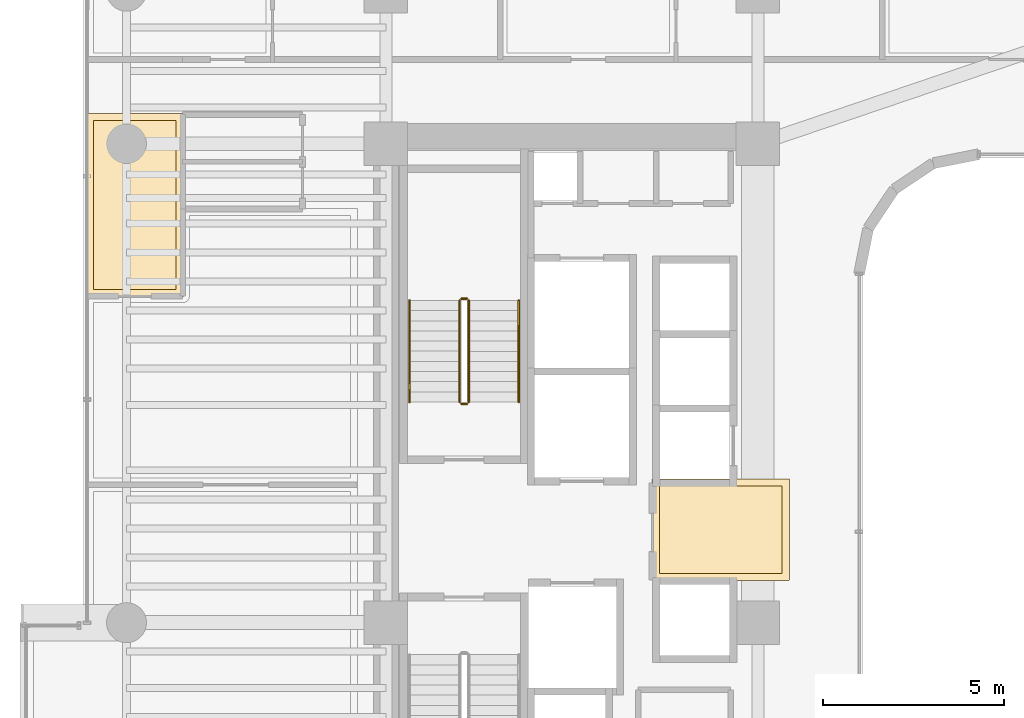
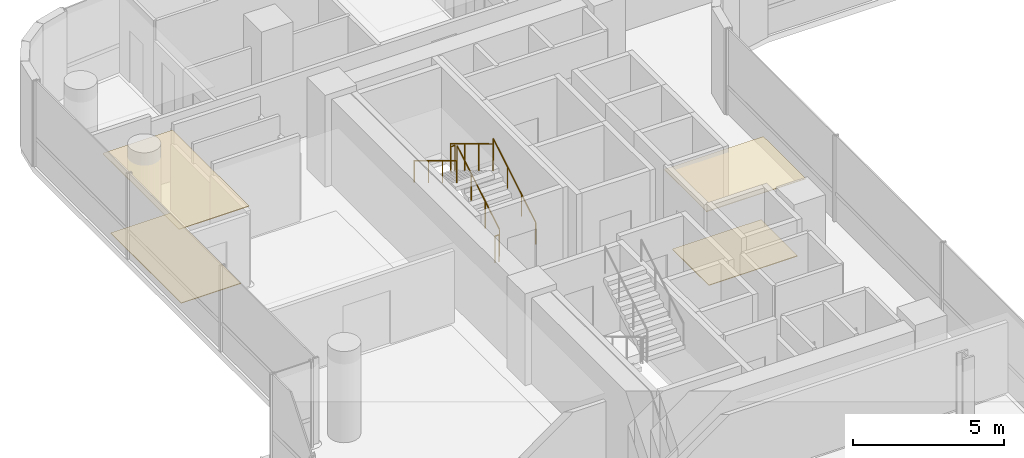
# One storey, part 35 of 38: 6 railings, 4 coverings.
"""IFC4 building model written with IfcOpenShell, lengths in metres."""

from ifc_helpers import new_model, si_unit, direction, frame, origin, origin_2d, place, context, subcontext, project, spatial, polyline, circle, outline, extrude, material, layer, layer_set, type_object, element, save


model = new_model("IFC4")

# Units and contexts
model_context = context("Model", 3, precision=1e-05, world=origin(), true_north=direction((0.0, 1.0)))
body_context = subcontext(model_context, "Body", "Model", "MODEL_VIEW")
ifc_project = project(units=[si_unit("LENGTHUNIT", "METRE"), si_unit("AREAUNIT", "SQUARE_METRE"), si_unit("VOLUMEUNIT", "CUBIC_METRE"), si_unit("PLANEANGLEUNIT", "RADIAN"), si_unit("MASSUNIT", "GRAM", prefix="KILO")], contexts=[model_context])

# Site, building, storey
site_placement = place(None, origin())
site = spatial("IfcSite", under=ifc_project, at=site_placement, CompositionType="ELEMENT")
building_placement = place(site_placement, origin())
building = spatial("IfcBuilding", under=site, at=building_placement, Name="Valdorenza Pilgrim Sanctuary Tower", CompositionType="ELEMENT")
storey_placement = place(building_placement, frame((0.0, 0.0, 131.60009765625)))
storey = spatial("IfcBuildingStorey", under=building, at=storey_placement, Name="L33", CompositionType="ELEMENT", Elevation=131.60009765625)

# Coverings
ifc_material_1 = material(Name="Micro-perforated acoustic mineral ceiling tile", Category="gypsum")
ifc_layer_1 = layer(ifc_material_1, 0.02490234375, Name="Micro-perforated acoustic mineral ceiling tile")
ifc_layer_set_1 = layer_set([ifc_layer_1], Name="Micro-perforated acoustic mineral ceiling tile")
covering_type_1 = type_object("IfcCoveringType", Name="COV-CLG-ACU", PredefinedType="CEILING", material=ifc_layer_set_1)
covering_1_placement = place(storey_placement, frame((0.0, 0.0, 3.159912109375)))
element("IfcCovering", 1, at=covering_1_placement, inside=storey, type_object=covering_type_1, Name="L33 Core A Passenger Lift Lobby Acoustic Ceiling", PredefinedType="CEILING", context=body_context, shape_type="SweptSolid", body=[
    extrude(outline(polyline([(-15.31298828125, 1.244384765625), (-15.31298828125, 1.24462890625), (-15.313720703125, 1.24609375), (-15.314208984375, 1.24755859375), (-15.314697265625, 1.2490234375), (-15.31494140625, 1.25048828125), (-15.31494140625, 1.251953125), (-15.31494140625, 1.35009765625), (-15.31494140625, 1.3515625), (-15.314697265625, 1.352783203125), (-15.314453125, 1.3544921875), (-15.31396484375, 1.355712890625), (-15.313232421875, 1.357177734375), (-15.3125, 1.3583984375), (-15.3115234375, 1.359619140625), (-15.310546875, 1.360595703125), (-15.3095703125, 1.361572265625), (-15.308349609375, 1.362548828125), (-15.30712890625, 1.36328125), (-15.3056640625, 1.364013671875), (-15.304443359375, 1.364501953125), (-15.302978515625, 1.36474609375), (-15.301513671875, 1.364990234375), (-15.300048828125, 1.364990234375), (-15.10205078125, 1.364990234375), (-15.1005859375, 1.364990234375), (-15.09912109375, 1.36474609375), (-15.097412109375, 1.3642578125), (-15.09619140625, 1.36376953125), (-15.0947265625, 1.363037109375), (-15.094482421875, 1.363037109375), (-13.185546875, 1.363037109375), (-13.185302734375, 1.363037109375), (-13.183837890625, 1.36376953125), (-13.1826171875, 1.3642578125), (-13.180908203125, 1.36474609375), (-13.179443359375, 1.364990234375), (-13.177978515625, 1.364990234375), (-11.550048828125, 1.364990234375), (-11.548583984375, 1.364990234375), (-11.547119140625, 1.36474609375), (-11.545654296875, 1.364501953125), (-11.544189453125, 1.364013671875), (-11.54296875, 1.36328125), (-11.541748046875, 1.362548828125), (-11.54052734375, 1.361572265625), (-11.539306640625, 1.360595703125), (-11.538330078125, 1.359619140625), (-11.53759765625, 1.3583984375), (-11.536865234375, 1.357177734375), (-11.5361328125, 1.355712890625), (-11.53564453125, 1.3544921875), (-11.535400390625, 1.352783203125), (-11.53515625, 1.3515625), (-11.534912109375, 1.35009765625), (-11.534912109375, -1.419921875), (-11.53515625, -1.42138671875), (-11.535400390625, -1.4228515625), (-11.53564453125, -1.42431640625), (-11.5361328125, -1.42578125), (-11.536865234375, -1.427001953125), (-11.53759765625, -1.42822265625), (-11.538330078125, -1.429443359375), (-11.539306640625, -1.4306640625), (-11.54052734375, -1.431640625), (-11.541748046875, -1.4326171875), (-11.54296875, -1.43310546875), (-11.544189453125, -1.433837890625), (-11.545654296875, -1.434326171875), (-11.547119140625, -1.434814453125), (-11.548583984375, -1.434814453125), (-11.550048828125, -1.43505859375), (-15.298095703125, -1.43505859375), (-15.299560546875, -1.434814453125), (-15.30078125, -1.434814453125), (-15.302490234375, -1.434326171875), (-15.3037109375, -1.433837890625), (-15.30517578125, -1.43310546875), (-15.306396484375, -1.4326171875), (-15.3076171875, -1.431640625), (-15.30859375, -1.4306640625), (-15.3095703125, -1.429443359375), (-15.310546875, -1.42822265625), (-15.311279296875, -1.427001953125), (-15.31201171875, -1.42578125), (-15.3125, -1.42431640625), (-15.312744140625, -1.4228515625), (-15.31298828125, -1.42138671875), (-15.31298828125, -1.419921875), (-15.31298828125, 1.244384765625)])), origin(), (0.0, 0.0, 1.0), 0.02490234375),
])
covering_2_placement = place(storey_placement, frame((0.0, 0.0, 3.159912109375)))
element("IfcCovering", 2, at=covering_2_placement, inside=storey, type_object=covering_type_1, Name="L33 Pilgrim Scholar Office L33-1 Acoustic Ceiling", PredefinedType="CEILING", context=body_context, shape_type="SweptSolid", body=[
    extrude(outline(polyline([(-28.237060546875, 8.805419921875), (-28.23681640625, 8.805419921875), (-28.236083984375, 8.803955078125), (-28.235595703125, 8.802490234375), (-28.2353515625, 8.801025390625), (-28.235107421875, 8.799560546875), (-28.235107421875, 8.798095703125), (-28.235107421875, 6.39990234375), (-28.235107421875, 6.3984375), (-28.2353515625, 6.397216796875), (-28.235595703125, 6.3955078125), (-28.236083984375, 6.394287109375), (-28.23681640625, 6.392822265625), (-28.237548828125, 6.3916015625), (-28.23828125, 6.390380859375), (-28.239501953125, 6.389404296875), (-28.240478515625, 6.388427734375), (-28.24169921875, 6.387451171875), (-28.242919921875, 6.38671875), (-28.244384765625, 6.385986328125), (-28.24560546875, 6.385498046875), (-28.2470703125, 6.38525390625), (-28.24853515625, 6.385009765625), (-28.25, 6.385009765625), (-30.889892578125, 6.385009765625), (-30.8916015625, 6.385009765625), (-30.892822265625, 6.38525390625), (-30.894287109375, 6.385498046875), (-30.895751953125, 6.385986328125), (-30.897216796875, 6.38671875), (-30.898193359375, 6.387451171875), (-30.8994140625, 6.388427734375), (-30.900634765625, 6.389404296875), (-30.901611328125, 6.390380859375), (-30.902587890625, 6.3916015625), (-30.9033203125, 6.392822265625), (-30.90380859375, 6.394287109375), (-30.904296875, 6.3955078125), (-30.90478515625, 6.397216796875), (-30.90478515625, 6.3984375), (-30.905029296875, 6.39990234375), (-30.905029296875, 11.419921875), (-30.90478515625, 11.42138671875), (-30.90478515625, 11.4228515625), (-30.904296875, 11.42431640625), (-30.90380859375, 11.42578125), (-30.9033203125, 11.427001953125), (-30.902587890625, 11.42822265625), (-30.901611328125, 11.429443359375), (-30.900634765625, 11.4306640625), (-30.8994140625, 11.431640625), (-30.898193359375, 11.4326171875), (-30.897216796875, 11.43310546875), (-30.895751953125, 11.433837890625), (-30.894287109375, 11.434326171875), (-30.892822265625, 11.434814453125), (-30.8916015625, 11.434814453125), (-30.889892578125, 11.43505859375), (-28.25, 11.43505859375), (-28.24853515625, 11.434814453125), (-28.2470703125, 11.434814453125), (-28.24560546875, 11.434326171875), (-28.244384765625, 11.433837890625), (-28.242919921875, 11.43310546875), (-28.24169921875, 11.4326171875), (-28.240478515625, 11.431640625), (-28.239501953125, 11.4306640625), (-28.23828125, 11.429443359375), (-28.237548828125, 11.42822265625), (-28.23681640625, 11.427001953125), (-28.236083984375, 11.42578125), (-28.235595703125, 11.42431640625), (-28.2353515625, 11.4228515625), (-28.235107421875, 11.42138671875), (-28.235107421875, 11.419921875), (-28.235107421875, 11.402099609375), (-28.235107421875, 11.400390625), (-28.2353515625, 11.39892578125), (-28.235595703125, 11.3974609375), (-28.236083984375, 11.39599609375), (-28.23681640625, 11.394775390625), (-28.237060546875, 11.39453125), (-28.237060546875, 10.103759765625), (-28.23681640625, 10.10302734375), (-28.23681640625, 10.1015625), (-28.23681640625, 10.10009765625), (-28.23681640625, 10.098388671875), (-28.237060546875, 10.09814453125), (-28.237060546875, 8.805419921875)])), origin(), (0.0, 0.0, 1.0), 0.02490234375),
])
ifc_material_2 = material(Name="Honed travertine stone flooring", Category="masonry")
ifc_layer_2 = layer(ifc_material_2, 0.030029296875, Name="Honed travertine stone flooring")
ifc_layer_set_2 = layer_set([ifc_layer_2], Name="Honed travertine stone flooring")
covering_type_2 = type_object("IfcCoveringType", Name="COV-FLR-TRV", PredefinedType="FLOORING", material=ifc_layer_set_2)
covering_3_placement = place(storey_placement, origin())
element("IfcCovering", 3, at=covering_3_placement, inside=storey, type_object=covering_type_2, Name="L33 Core A Passenger Lift Lobby Flooring", PredefinedType="FLOORING", context=body_context, shape_type="SweptSolid", body=[
    extrude(outline(polyline([(-15.117919921875, 1.169189453125), (-15.10888671875, 1.168212890625), (-15.10888671875, 1.168212890625), (-15.10009765625, 1.16796875), (-13.179931640625, 1.16796875), (-13.1796875, 1.16796875), (-11.72998046875, 1.169921875), (-11.72998046875, -1.239990234375), (-15.117919921875, -1.239990234375), (-15.117919921875, 1.169189453125)])), origin(), (0.0, 0.0, 1.0), 0.02490234375),
])
covering_4_placement = place(storey_placement, origin())
element("IfcCovering", 4, at=covering_4_placement, inside=storey, type_object=covering_type_2, Name="L33 Pilgrim Scholar Office L33-1 Flooring", PredefinedType="FLOORING", context=body_context, shape_type="SweptSolid", body=[
    extrude(outline(polyline([(-28.431884765625, 11.239990234375), (-28.431884765625, 10.10205078125), (-28.431884765625, 10.10107421875), (-28.431884765625, 10.100341796875), (-28.431884765625, 10.10009765625), (-28.431884765625, 8.800048828125), (-28.43017578125, 6.580078125), (-30.7099609375, 6.580078125), (-30.7099609375, 11.239990234375), (-28.431884765625, 11.239990234375)])), origin(), (0.0, 0.0, 1.0), 0.02490234375),
])

# Railings
ifc_material_3 = material(Name="Stainless steel Grade 316", Category="steel")
railing_type_1 = type_object("IfcRailingType", Name="RLG-GRD-1120", PredefinedType="GUARDRAIL", material=ifc_material_3)
railing_1_placement = place(storey_placement, frame((-20.3701171875, 3.47998046875, 0.16796875)))
element("IfcRailing", 5, at=railing_1_placement, inside=storey, type_object=railing_type_1, Name="L33 ST-A1 stair guard 1", PredefinedType="GUARDRAIL", context=body_context, shape_type="SweptSolid", body=[
    extrude(circle(Radius=0.02392578125, at=origin_2d()), frame((0.0, 0.0, 1.076171875), z_axis=(0.0, 0.857242210791, 0.514913383045), x_axis=(-1.0, 0.0, 0.0)), (0.0, 0.0, 1.0), 3.266357421875),
    extrude(circle(Radius=0.02099609375, at=origin_2d()), origin(), (0.0, 0.0, 1.0), 1.052001953125),
    extrude(circle(Radius=0.02099609375, at=origin_2d()), frame((0.0, 0.933349609375, 0.560546875)), (0.0, 0.0, 1.0), 1.052001953125),
    extrude(circle(Radius=0.02099609375, at=origin_2d()), frame((0.0, 1.86669921875, 1.121337890625)), (0.0, 0.0, 1.0), 1.052001953125),
    extrude(circle(Radius=0.02099609375, at=origin_2d()), frame((0.0, 2.800048828125, 1.681884765625)), (0.0, 0.0, 1.0), 1.052001953125),
])
railing_2_placement = place(storey_placement, frame((-20.419921875, 6.330078125, 1.849853515625)))
element("IfcRailing", 6, at=railing_2_placement, inside=storey, type_object=railing_type_1, Name="L33 ST-A1 stair guard 2", PredefinedType="GUARDRAIL", context=body_context, shape_type="SweptSolid", body=[
    extrude(circle(Radius=0.02392578125, at=origin_2d()), frame((0.0, 0.0, 1.076171875), z_axis=(-1.0, 0.0, 0.0), x_axis=(0.0, -1.0, 0.0)), (0.0, 0.0, 1.0), 0.150146484375),
    extrude(circle(Radius=0.02099609375, at=origin_2d()), origin(), (0.0, 0.0, 1.0), 1.052001953125),
    extrude(circle(Radius=0.02099609375, at=origin_2d()), frame((-0.150146484375, 0.0, 0.0)), (0.0, 0.0, 1.0), 1.052001953125),
])
railing_3_placement = place(storey_placement, frame((-20.6201171875, 6.280029296875, 2.01806640625)))
element("IfcRailing", 7, at=railing_3_placement, inside=storey, type_object=railing_type_1, Name="L33 ST-A1 stair guard 3", PredefinedType="GUARDRAIL", context=body_context, shape_type="SweptSolid", body=[
    extrude(circle(Radius=0.02392578125, at=origin_2d()), frame((0.0, 0.0, 1.076171875), z_axis=(0.0, -0.857242210791, 0.514913383045), x_axis=(1.0, 0.0, 0.0)), (0.0, 0.0, 1.0), 3.266357421875),
    extrude(circle(Radius=0.02099609375, at=origin_2d()), origin(), (0.0, 0.0, 1.0), 1.052001953125),
    extrude(circle(Radius=0.02099609375, at=origin_2d()), frame((0.0, -0.933349609375, 0.560546875)), (0.0, 0.0, 1.0), 1.052001953125),
    extrude(circle(Radius=0.02099609375, at=origin_2d()), frame((0.0, -1.86669921875, 1.121337890625)), (0.0, 0.0, 1.0), 1.052001953125),
    extrude(circle(Radius=0.02099609375, at=origin_2d()), frame((0.0, -2.800048828125, 1.681884765625)), (0.0, 0.0, 1.0), 1.052001953125),
])
railing_4_placement = place(storey_placement, frame((-20.419921875, 3.429931640625, 0.0)))
element("IfcRailing", 8, at=railing_4_placement, inside=storey, type_object=railing_type_1, Name="L33 ST-A1 stair guard 4", PredefinedType="GUARDRAIL", context=body_context, shape_type="SweptSolid", body=[
    extrude(circle(Radius=0.02392578125, at=origin_2d()), frame((0.0, 0.0, 1.076171875), z_axis=(-1.0, 0.0, 0.0), x_axis=(0.0, -1.0, 0.0)), (0.0, 0.0, 1.0), 0.150146484375),
    extrude(circle(Radius=0.02099609375, at=origin_2d()), origin(), (0.0, 0.0, 1.0), 1.052001953125),
    extrude(circle(Radius=0.02099609375, at=origin_2d()), frame((-0.150146484375, 0.0, 0.0)), (0.0, 0.0, 1.0), 1.052001953125),
])
ifc_material_4 = material(Name="Brushed stainless steel Grade 316", Category="steel")
railing_type_2 = type_object("IfcRailingType", Name="RLG-HND-920", PredefinedType="HANDRAIL", material=ifc_material_4)
railing_5_placement = place(storey_placement, frame((-18.989990234375, 3.47998046875, 0.16796875)))
element("IfcRailing", 9, at=railing_5_placement, inside=storey, type_object=railing_type_2, Name="L33 ST-A1 stair handrail 1", PredefinedType="HANDRAIL", context=body_context, shape_type="SweptSolid", body=[
    extrude(circle(Radius=0.02392578125, at=origin_2d()), frame((0.0, 0.0, 0.8759765625), z_axis=(0.0, 0.857242210791, 0.514913383045), x_axis=(-1.0, 0.0, 0.0)), (0.0, 0.0, 1.0), 3.266357421875),
    extrude(circle(Radius=0.02099609375, at=origin_2d()), origin(), (0.0, 0.0, 1.0), 0.851806640625),
    extrude(circle(Radius=0.02099609375, at=origin_2d()), frame((0.0, 0.933349609375, 0.560546875)), (0.0, 0.0, 1.0), 0.851806640625),
    extrude(circle(Radius=0.02099609375, at=origin_2d()), frame((0.0, 1.86669921875, 1.121337890625)), (0.0, 0.0, 1.0), 0.851806640625),
    extrude(circle(Radius=0.02099609375, at=origin_2d()), frame((0.0, 2.800048828125, 1.681884765625)), (0.0, 0.0, 1.0), 0.851806640625),
])
railing_6_placement = place(storey_placement, frame((-22.0, 6.280029296875, 2.01806640625)))
element("IfcRailing", 10, at=railing_6_placement, inside=storey, type_object=railing_type_2, Name="L33 ST-A1 stair handrail 2", PredefinedType="HANDRAIL", context=body_context, shape_type="SweptSolid", body=[
    extrude(circle(Radius=0.02392578125, at=origin_2d()), frame((0.0, 0.0, 0.8759765625), z_axis=(0.0, -0.857242210791, 0.514913383045), x_axis=(1.0, 0.0, 0.0)), (0.0, 0.0, 1.0), 3.266357421875),
    extrude(circle(Radius=0.02099609375, at=origin_2d()), origin(), (0.0, 0.0, 1.0), 0.851806640625),
    extrude(circle(Radius=0.02099609375, at=origin_2d()), frame((0.0, -0.933349609375, 0.560546875)), (0.0, 0.0, 1.0), 0.851806640625),
    extrude(circle(Radius=0.02099609375, at=origin_2d()), frame((0.0, -1.86669921875, 1.121337890625)), (0.0, 0.0, 1.0), 0.851806640625),
    extrude(circle(Radius=0.02099609375, at=origin_2d()), frame((0.0, -2.800048828125, 1.681884765625)), (0.0, 0.0, 1.0), 0.851806640625),
])

save(model, "model.ifc")
